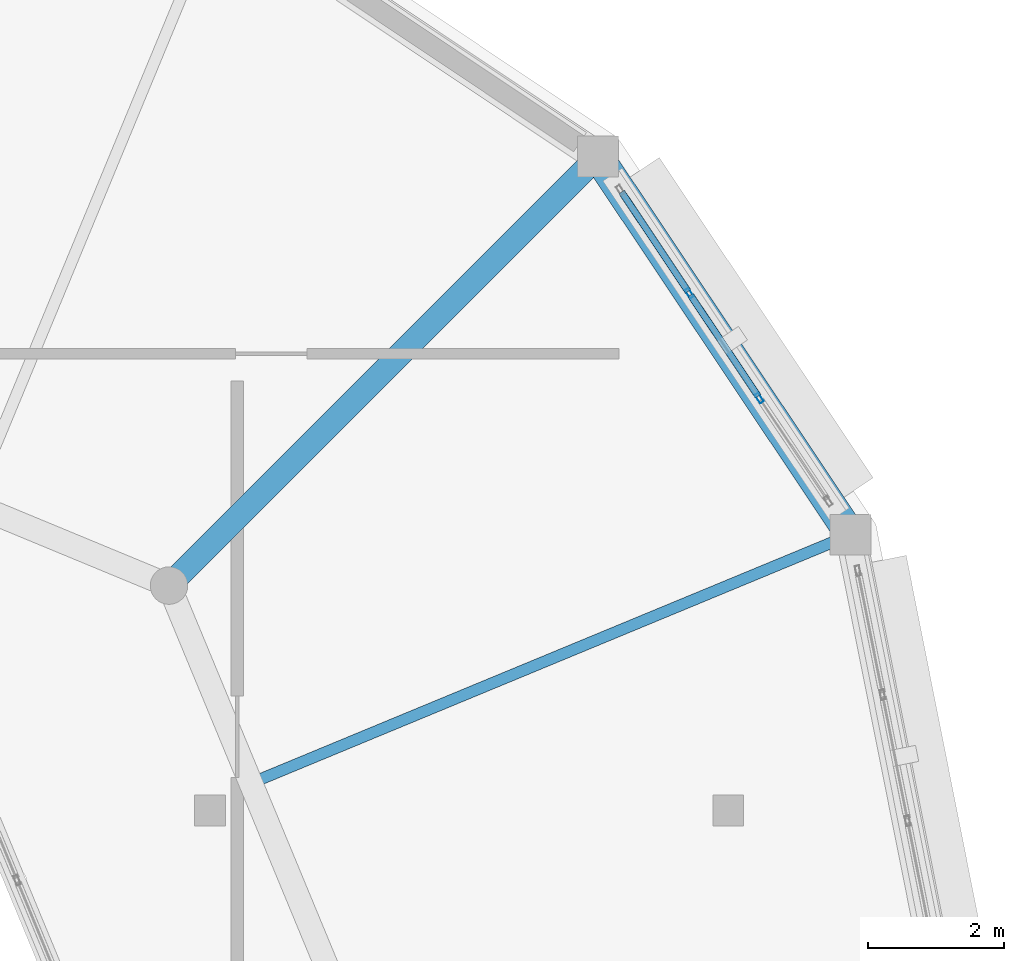
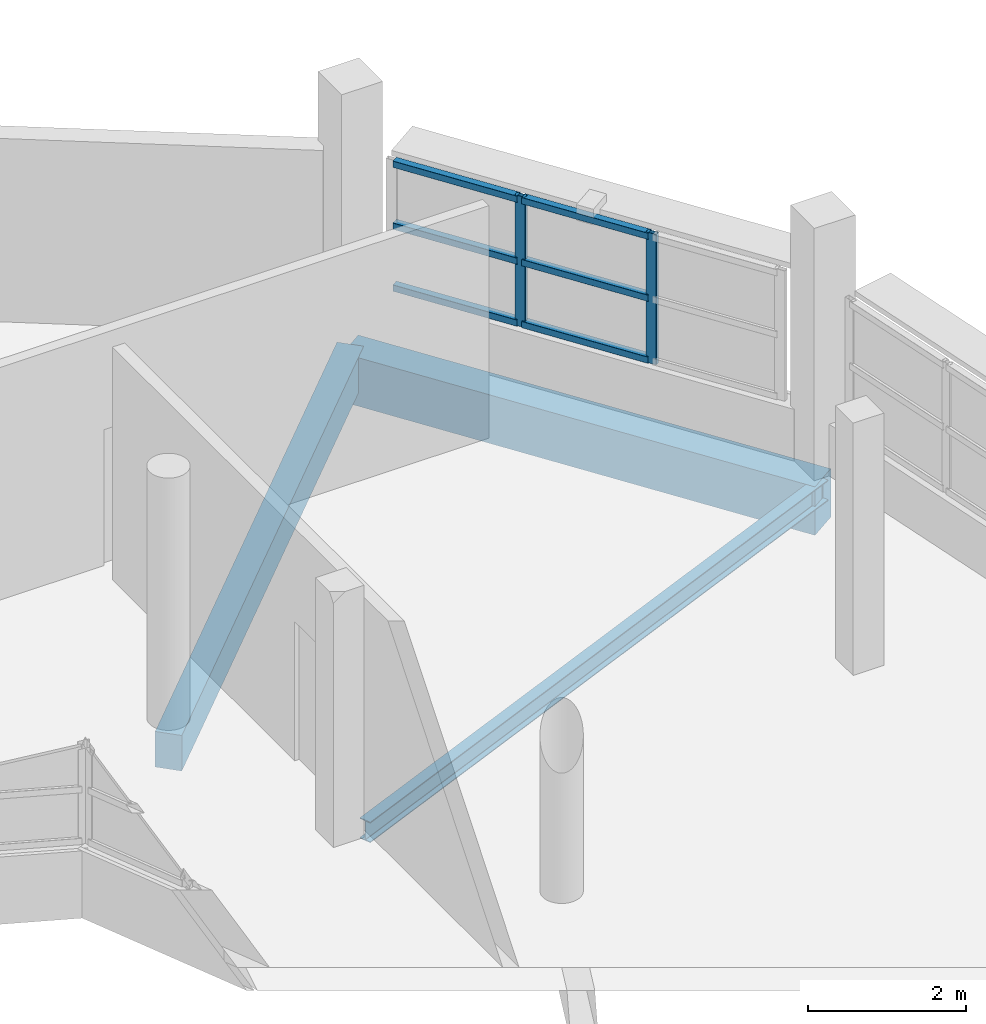
# One storey, part 75 of 121: 8 members, 3 beams, 1 element without a shape of its own.
"""IFC4 building model written with IfcOpenShell, lengths in metres."""

from ifc_helpers import new_model, si_unit, direction, frame, origin, origin_2d, place, context, subcontext, project, spatial, rectangle, hollow_rectangle, i_section, extrude, material, layer, layer_set, material_profile, profile_set, type_object, element, aggregate, save


model = new_model("IFC4")

# Units and contexts
model_context = context("Model", 3, precision=1e-05, world=origin(), true_north=direction((0.0, 1.0)))
body_context = subcontext(model_context, "Body", "Model", "MODEL_VIEW")
ifc_project = project(units=[si_unit("LENGTHUNIT", "METRE"), si_unit("AREAUNIT", "SQUARE_METRE"), si_unit("VOLUMEUNIT", "CUBIC_METRE"), si_unit("PLANEANGLEUNIT", "RADIAN"), si_unit("MASSUNIT", "GRAM", prefix="KILO")], contexts=[model_context])

# Site, building, storey
site_placement = place(None, origin())
site = spatial("IfcSite", under=ifc_project, at=site_placement, CompositionType="ELEMENT")
building_placement = place(site_placement, origin())
building = spatial("IfcBuilding", under=site, at=building_placement, Name="Vespera Passage Community Centre", CompositionType="ELEMENT")
storey_placement = place(building_placement, frame((0.0, 0.0, 8.699951171875)))
storey = spatial("IfcBuildingStorey", under=building, at=storey_placement, Name="L02", CompositionType="ELEMENT", Elevation=8.699951171875)

# Beams
ifc_material_1 = material(Name="Concrete f'c 35 MPa", Category="concrete")
ifc_material_profile_1 = material_profile(ifc_material_1, rectangle(XDim=0.35009765625, YDim=0.550048828125, at=origin_2d()), Name="RC350X550")
ifc_profile_set_1 = profile_set([ifc_material_profile_1], Name="Concrete f'c 35 MPa")
beam_type_1 = type_object("IfcBeamType", Name="BM-J-350X550", PredefinedType="JOIST", material=ifc_profile_set_1)
beam_1_placement = place(storey_placement, frame((146.79833984375, 30.79833984375, -0.514892578125), z_axis=(0.707106781187, 0.707106781187, 0.0), x_axis=(-0.707106781187, 0.707106781187, 0.0)))
element("IfcBeam", 1, at=beam_1_placement, inside=storey, type_object=beam_type_1, Name="V3 L02 Radial Girder 2", PredefinedType="JOIST", context=body_context, shape_type="SweptSolid", body=[
    extrude(rectangle(XDim=0.35009765625, YDim=0.550048828125, at=origin_2d()), origin(), (0.0, 0.0, 1.0), 8.89990234375),
])
ifc_material_2 = material(Name="Steel ASTM A992 Grade 50", Category="steel")
ifc_material_profile_2 = material_profile(ifc_material_2, i_section(OverallWidth=0.16650390625, OverallDepth=0.3173828125, WebThickness=0.007568359375, FlangeThickness=0.01318359375, FilletRadius=0.007568359375, at=origin_2d()), Name="W12X35")
ifc_profile_set_2 = profile_set([ifc_material_profile_2], Name="Steel ASTM A992 Grade 50")
beam_type_2 = type_object("IfcBeamType", Name="BM-J-W12X35", PredefinedType="JOIST", material=ifc_profile_set_2)
beam_2_placement = place(storey_placement, frame((147.9990234375, 27.899169921875, -0.398681640625), z_axis=(0.923880304795, 0.382681567901, 0.0), x_axis=(-0.382681567901, 0.923880304795, 0.0)))
element("IfcBeam", 2, at=beam_2_placement, inside=storey, type_object=beam_type_2, Name="V3 L02 Secondary Joist 1", PredefinedType="JOIST", context=body_context, shape_type="SweptSolid", body=[
    extrude(i_section(OverallWidth=0.16650390625, OverallDepth=0.3173828125, WebThickness=0.007568359375, FlangeThickness=0.01318359375, FilletRadius=0.007568359375, at=origin_2d()), origin(), (0.0, 0.0, 1.0), 9.5244140625),
])
ifc_material_3 = material(Name="Concrete f'c 35 MPa", Category="concrete")
ifc_material_profile_3 = material_profile(ifc_material_3, rectangle(XDim=0.449951171875, YDim=0.75, at=origin_2d()), Name="RC450X750")
ifc_profile_set_3 = profile_set([ifc_material_profile_3], Name="Concrete f'c 35 MPa")
beam_type_3 = type_object("IfcBeamType", Name="BM-SP-450X750E", PredefinedType="SPANDREL", material=ifc_profile_set_3)
beam_3_placement = place(storey_placement, frame((156.79833984375, 31.5439453125, -0.614990234375), z_axis=(-0.55556964639, 0.831470004276, 0.0), x_axis=(-0.831470004276, -0.55556964639, 0.0)))
element("IfcBeam", 3, at=beam_3_placement, inside=storey, type_object=beam_type_3, Name="V3 L02 Spandrel 2", PredefinedType="SPANDREL", context=body_context, shape_type="SweptSolid", body=[
    extrude(rectangle(XDim=0.449951171875, YDim=0.75, at=origin_2d()), origin(), (0.0, 0.0, 1.0), 6.672119140625),
])

# Curtain wall, members
ifc_material_4 = material(Name="Anodized aluminium 6063-T6", Category="aluminium")
ifc_layer = layer(ifc_material_4, 0.159912109375)
ifc_layer_set = layer_set([ifc_layer], Name="Anodized aluminium 6063-T6")
curtain_wall_type = type_object("IfcCurtainWallType", Name="CW-109E", PredefinedType="NOTDEFINED", material=ifc_layer_set)
curtain_wall_placement = place(storey_placement, origin())
curtain_wall = element("IfcCurtainWall", 4, at=curtain_wall_placement, inside=storey, type_object=curtain_wall_type, Name="Dining Drum Ribbon Curtain Wall L02.2", PredefinedType="NOTDEFINED")
ifc_material_5 = material(Name="Anodized aluminium 6063-T6", Category="aluminium")
ifc_material_profile_4 = material_profile(ifc_material_5, hollow_rectangle(XDim=0.06494140625, YDim=0.14990234375, WallThickness=0.00390625, InnerFilletRadius=0.001953125, OuterFilletRadius=0.00390625, at=origin_2d()), Name="ALU150X65X4")
ifc_profile_set_4 = profile_set([ifc_material_profile_4], Name="Anodized aluminium 6063-T6")
member_type_1 = type_object("IfcMemberType", Name="MB-CWM-150E", PredefinedType="MULLION", material=ifc_profile_set_4)
member_1_placement = place(storey_placement, frame((154.430908203125, 35.0869140625, 0.800048828125), z_axis=(0.0, 0.0, 1.0), x_axis=(0.831473308708, 0.555564700918, 0.0)))
member_1 = element("IfcMember", 5, at=member_1_placement, type_object=member_type_1, Name="CW-109E mullion 2", PredefinedType="MULLION", context=body_context, shape_type="SweptSolid", body=[
    extrude(hollow_rectangle(XDim=0.06494140625, YDim=0.14990234375, WallThickness=0.00390625, InnerFilletRadius=0.001953125, OuterFilletRadius=0.00390625, at=origin_2d()), origin(), (0.0, 0.0, 1.0), 2.014892578125),
])
member_2_placement = place(storey_placement, frame((155.458740234375, 33.548583984375, 0.800048828125), z_axis=(0.0, 0.0, 1.0), x_axis=(0.831473308708, 0.555564700918, 0.0)))
member_2 = element("IfcMember", 6, at=member_2_placement, type_object=member_type_1, Name="CW-109E mullion 3", PredefinedType="MULLION", context=body_context, shape_type="SweptSolid", body=[
    extrude(hollow_rectangle(XDim=0.06494140625, YDim=0.14990234375, WallThickness=0.00390625, InnerFilletRadius=0.001953125, OuterFilletRadius=0.00390625, at=origin_2d()), origin(), (0.0, 0.0, 1.0), 2.014892578125),
])
ifc_material_6 = material(Name="Anodized aluminium 6063-T6", Category="aluminium")
ifc_material_profile_5 = material_profile(ifc_material_6, hollow_rectangle(XDim=0.10009765625, YDim=0.10009765625, WallThickness=0.00390625, InnerFilletRadius=0.001953125, OuterFilletRadius=0.00390625, at=origin_2d()), Name="ALU100X100X4")
ifc_profile_set_5 = profile_set([ifc_material_profile_5], Name="Anodized aluminium 6063-T6")
member_type_2 = type_object("IfcMemberType", Name="MB-CWT-100E", PredefinedType="USERDEFINED", material=ifc_profile_set_5)
member_3_placement = place(storey_placement, frame((153.439208984375, 36.571044921875, 0.85009765625), z_axis=(0.555535727386, -0.831492667194, 0.0), x_axis=(0.831492667194, 0.555535727386, 0.0)))
member_3 = element("IfcMember", 7, at=member_3_placement, type_object=member_type_2, Name="CW-109E transom 1.1", ObjectType="TRANSOM", PredefinedType="USERDEFINED", context=body_context, shape_type="SweptSolid", body=[
    extrude(hollow_rectangle(XDim=0.10009765625, YDim=0.10009765625, WallThickness=0.00390625, InnerFilletRadius=0.001953125, OuterFilletRadius=0.00390625, at=origin_2d()), origin(), (0.0, 0.0, 1.0), 1.752685546875),
])
member_4_placement = place(storey_placement, frame((153.439208984375, 36.571044921875, 1.8076171875), z_axis=(0.555535727386, -0.831492667194, 0.0), x_axis=(0.831492667194, 0.555535727386, 0.0)))
member_4 = element("IfcMember", 8, at=member_4_placement, type_object=member_type_2, Name="CW-109E transom 1.2", ObjectType="TRANSOM", PredefinedType="USERDEFINED", context=body_context, shape_type="SweptSolid", body=[
    extrude(hollow_rectangle(XDim=0.10009765625, YDim=0.10009765625, WallThickness=0.00390625, InnerFilletRadius=0.001953125, OuterFilletRadius=0.00390625, at=origin_2d()), origin(), (0.0, 0.0, 1.0), 1.752685546875),
])
member_5_placement = place(storey_placement, frame((153.439208984375, 36.571044921875, 2.76513671875), z_axis=(0.555535727386, -0.831492667194, 0.0), x_axis=(0.831492667194, 0.555535727386, 0.0)))
member_5 = element("IfcMember", 9, at=member_5_placement, type_object=member_type_2, Name="CW-109E transom 1.3", ObjectType="TRANSOM", PredefinedType="USERDEFINED", context=body_context, shape_type="SweptSolid", body=[
    extrude(hollow_rectangle(XDim=0.10009765625, YDim=0.10009765625, WallThickness=0.00390625, InnerFilletRadius=0.001953125, OuterFilletRadius=0.00390625, at=origin_2d()), origin(), (0.0, 0.0, 1.0), 1.752685546875),
])
member_6_placement = place(storey_placement, frame((154.448974609375, 35.059814453125, 0.85009765625), z_axis=(0.555520488502, -0.831502848374, 0.0), x_axis=(0.831502848374, 0.555520488502, 0.0)))
member_6 = element("IfcMember", 10, at=member_6_placement, type_object=member_type_2, Name="CW-109E transom 2.1", ObjectType="TRANSOM", PredefinedType="USERDEFINED", context=body_context, shape_type="SweptSolid", body=[
    extrude(hollow_rectangle(XDim=0.10009765625, YDim=0.10009765625, WallThickness=0.00390625, InnerFilletRadius=0.001953125, OuterFilletRadius=0.00390625, at=origin_2d()), origin(), (0.0, 0.0, 1.0), 1.78515625),
])
member_7_placement = place(storey_placement, frame((154.448974609375, 35.059814453125, 1.8076171875), z_axis=(0.555520488502, -0.831502848374, 0.0), x_axis=(0.831502848374, 0.555520488502, 0.0)))
member_7 = element("IfcMember", 11, at=member_7_placement, type_object=member_type_2, Name="CW-109E transom 2.2", ObjectType="TRANSOM", PredefinedType="USERDEFINED", context=body_context, shape_type="SweptSolid", body=[
    extrude(hollow_rectangle(XDim=0.10009765625, YDim=0.10009765625, WallThickness=0.00390625, InnerFilletRadius=0.001953125, OuterFilletRadius=0.00390625, at=origin_2d()), origin(), (0.0, 0.0, 1.0), 1.78515625),
])
member_8_placement = place(storey_placement, frame((154.448974609375, 35.059814453125, 2.76513671875), z_axis=(0.555520488502, -0.831502848374, 0.0), x_axis=(0.831502848374, 0.555520488502, 0.0)))
member_8 = element("IfcMember", 12, at=member_8_placement, type_object=member_type_2, Name="CW-109E transom 2.3", ObjectType="TRANSOM", PredefinedType="USERDEFINED", context=body_context, shape_type="SweptSolid", body=[
    extrude(hollow_rectangle(XDim=0.10009765625, YDim=0.10009765625, WallThickness=0.00390625, InnerFilletRadius=0.001953125, OuterFilletRadius=0.00390625, at=origin_2d()), origin(), (0.0, 0.0, 1.0), 1.78515625),
])
aggregate(curtain_wall, [member_1, member_2, member_3, member_4, member_5, member_6, member_7, member_8])

save(model, "model.ifc")
